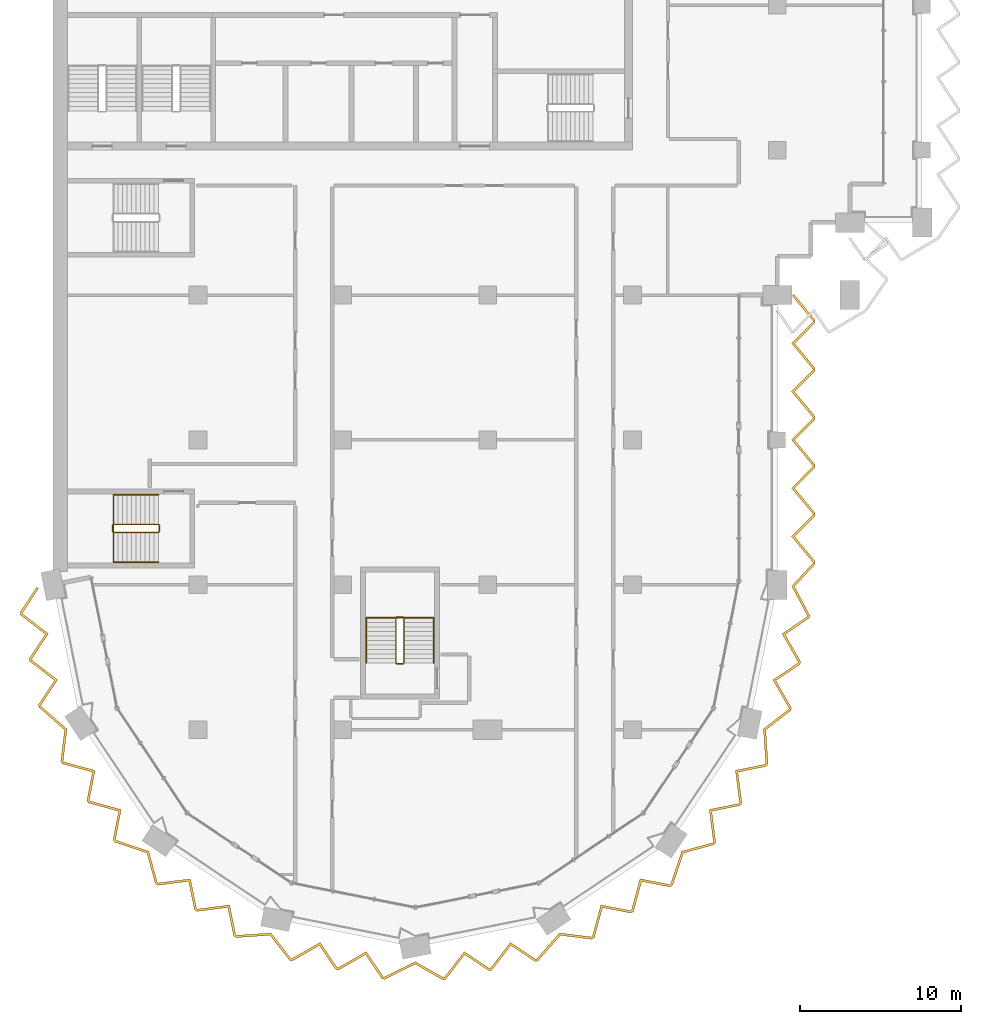
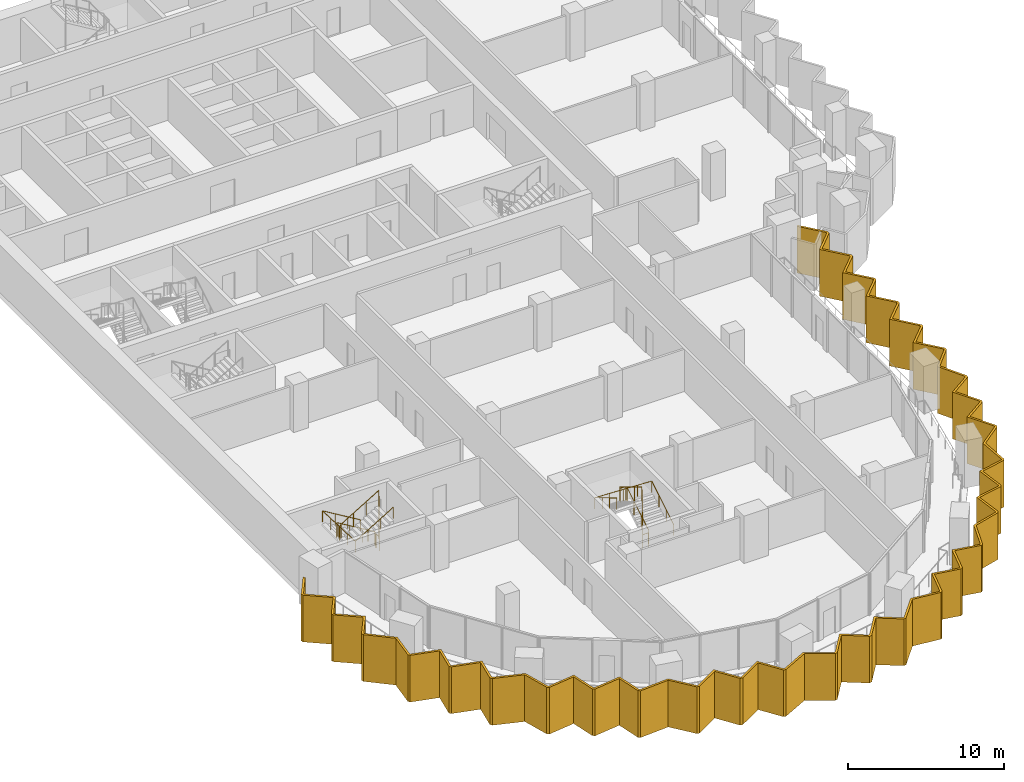
# One storey, part 14 of 18: 4 railings, 1 shading device.
"""IFC4 building model written with IfcOpenShell, lengths in metres."""

from ifc_helpers import new_model, si_unit, direction, frame, origin, origin_2d, place, context, subcontext, project, spatial, polyline, circle, outline, extrude, material, layer, layer_set, type_object, element, save


model = new_model("IFC4")

# Units and contexts
model_context = context("Model", 3, precision=1e-05, world=origin(), true_north=direction((0.0, 1.0)))
body_context = subcontext(model_context, "Body", "Model", "MODEL_VIEW")
ifc_project = project(units=[si_unit("LENGTHUNIT", "METRE"), si_unit("AREAUNIT", "SQUARE_METRE"), si_unit("VOLUMEUNIT", "CUBIC_METRE"), si_unit("PLANEANGLEUNIT", "RADIAN"), si_unit("MASSUNIT", "GRAM", prefix="KILO")], contexts=[model_context])

# Site, building, storey
site_placement = place(None, origin())
site = spatial("IfcSite", under=ifc_project, at=site_placement, CompositionType="ELEMENT")
building_placement = place(site_placement, origin())
building = spatial("IfcBuilding", under=site, at=building_placement, Name="Hunhe Ridgeline Campus", CompositionType="ELEMENT")
storey_placement = place(building_placement, frame((0.0, 0.0, 182.800048828125)))
storey = spatial("IfcBuildingStorey", under=building, at=storey_placement, Name="L46", CompositionType="ELEMENT", Elevation=182.800048828125)

# Shading device
ifc_material_1 = material(Name="Concrete C50", Category="concrete")
ifc_layer = layer(ifc_material_1, 0.14990234375)
ifc_layer_set = layer_set([ifc_layer], Name="Sawtooth concrete fin 150 Concrete C50")
shading_device_type = type_object("IfcShadingDeviceType", Name="Sawtooth concrete fin 150 Concrete C50", PredefinedType="USERDEFINED", material=ifc_layer_set)
shading_device_placement = place(storey_placement, frame((0.0, 0.0, -0.949951171875)))
element("IfcShadingDevice", 1, at=shading_device_placement, inside=storey, type_object=shading_device_type, Name="Concrete fin screen 1", ObjectType="FIN", PredefinedType="USERDEFINED", context=body_context, shape_type="SweptSolid", body=[
    extrude(outline(polyline([(-0.893798828125, 35.768310546875), (-1.018798828125, 35.851318359375), (-2.05517578125, 34.286865234375), (-2.020263671875, 34.111328125), (-0.486328125, 32.923095703125), (-1.484375, 31.416748046875), (-1.449462890625, 31.2412109375), (0.08447265625, 30.052978515625), (-0.913330078125, 28.546630859375), (-0.879150390625, 28.37353515625), (0.71484375, 26.97900390625), (0.47119140625, 25.017822265625), (0.56884765625, 24.87158203125), (2.44091796875, 24.36083984375), (2.09521484375, 22.587158203125), (2.19482421875, 22.438232421875), (4.066650390625, 21.927490234375), (3.72119140625, 20.154052734375), (3.819091796875, 20.00732421875), (5.825439453125, 19.328857421875), (6.350830078125, 17.423828125), (6.4970703125, 17.325927734375), (8.421875, 17.570556640625), (8.781494140625, 15.799560546875), (8.93017578125, 15.7001953125), (10.855224609375, 15.944580078125), (11.214599609375, 14.173828125), (11.361328125, 14.07568359375), (13.474365234375, 14.216796875), (14.68896484375, 12.65771484375), (14.861328125, 12.623291015625), (16.546142578125, 13.5859375), (17.55615234375, 12.08740234375), (17.7314453125, 12.052490234375), (19.41650390625, 13.014892578125), (20.42626953125, 11.516357421875), (20.59912109375, 11.48193359375), (22.49755859375, 12.421142578125), (24.216064453125, 11.4453125), (24.388671875, 11.479736328125), (25.576904296875, 13.013671875), (27.083251953125, 12.015625), (27.2587890625, 12.050537109375), (28.447021484375, 13.58447265625), (29.953369140625, 12.586669921875), (30.12646484375, 12.620849609375), (31.52099609375, 14.21484375), (33.482177734375, 13.97119140625), (33.62841796875, 14.06884765625), (34.13916015625, 15.94091796875), (35.912841796875, 15.59521484375), (36.061767578125, 15.69482421875), (36.572509765625, 17.566650390625), (38.345947265625, 17.22119140625), (38.49267578125, 17.319091796875), (39.171142578125, 19.325439453125), (41.076171875, 19.850830078125), (41.174072265625, 19.9970703125), (40.929443359375, 21.921875), (42.700439453125, 22.281494140625), (42.7998046875, 22.43017578125), (42.555419921875, 24.355224609375), (44.326171875, 24.714599609375), (44.42431640625, 24.861328125), (44.283203125, 26.974365234375), (45.84228515625, 28.18896484375), (45.876708984375, 28.361328125), (44.9140625, 30.046142578125), (46.41259765625, 31.05615234375), (46.447509765625, 31.2314453125), (45.485107421875, 32.91650390625), (46.983642578125, 33.92626953125), (47.01806640625, 34.100341796875), (46.066162109375, 35.89208984375), (47.35009765625, 37.281005859375), (47.35009765625, 37.457275390625), (46.076171875, 38.995361328125), (47.35009765625, 40.279296875), (47.35009765625, 40.457275390625), (46.076171875, 41.995361328125), (47.35009765625, 43.279296875), (47.35009765625, 43.457275390625), (46.076171875, 44.995361328125), (47.35009765625, 46.279296875), (47.35009765625, 46.457275390625), (46.076171875, 47.995361328125), (47.35009765625, 49.279296875), (47.35009765625, 49.457275390625), (46.076171875, 50.995361328125), (47.35009765625, 52.279296875), (47.35009765625, 52.457275390625), (46.03271484375, 54.0478515625), (45.917236328125, 53.9521484375), (47.199951171875, 52.4033203125), (47.199951171875, 52.341064453125), (45.873779296875, 51.004638671875), (47.199951171875, 49.4033203125), (47.199951171875, 49.341064453125), (45.873779296875, 48.004638671875), (47.199951171875, 46.4033203125), (47.199951171875, 46.341064453125), (45.873779296875, 45.004638671875), (47.199951171875, 43.4033203125), (47.199951171875, 43.341064453125), (45.873779296875, 42.004638671875), (47.199951171875, 40.4033203125), (47.199951171875, 40.341064453125), (45.873779296875, 39.004638671875), (47.199951171875, 37.4033203125), (47.199951171875, 37.339599609375), (45.8837890625, 35.915771484375), (46.860595703125, 34.0771484375), (46.848388671875, 34.01611328125), (45.28564453125, 32.962890625), (46.28955078125, 31.205810546875), (46.277587890625, 31.14599609375), (44.71484375, 30.0927734375), (45.718505859375, 28.335693359375), (45.7060546875, 28.27294921875), (44.128173828125, 27.0439453125), (44.271240234375, 24.902099609375), (44.23583984375, 24.849365234375), (42.388916015625, 24.474365234375), (42.64404296875, 22.467041015625), (42.610107421875, 22.416259765625), (40.76318359375, 22.041259765625), (41.01806640625, 20.03369140625), (40.982666015625, 19.98046875), (39.054443359375, 19.448974609375), (38.366943359375, 17.41552734375), (38.314208984375, 17.380126953125), (36.46435546875, 17.740478515625), (35.931640625, 15.788330078125), (35.880859375, 15.75439453125), (34.03125, 16.11474609375), (33.49853515625, 14.16259765625), (33.4453125, 14.126953125), (31.46044921875, 14.37353515625), (30.047119140625, 12.758056640625), (29.98486328125, 12.74560546875), (28.413818359375, 13.78662109375), (27.174560546875, 12.186767578125), (27.11474609375, 12.1748046875), (25.543701171875, 13.215576171875), (24.304443359375, 11.61572265625), (24.24169921875, 11.603271484375), (22.50244140625, 12.5908203125), (20.578369140625, 11.63916015625), (20.51611328125, 11.651611328125), (19.462890625, 13.21435546875), (17.705810546875, 12.21044921875), (17.64599609375, 12.222412109375), (16.5927734375, 13.78515625), (14.835693359375, 12.781494140625), (14.77294921875, 12.7939453125), (13.5439453125, 14.371826171875), (11.402099609375, 14.228759765625), (11.349365234375, 14.26416015625), (10.974365234375, 16.111083984375), (8.967041015625, 15.85595703125), (8.916259765625, 15.889892578125), (8.541259765625, 17.73681640625), (6.53369140625, 17.48193359375), (6.48046875, 17.517333984375), (5.948974609375, 19.445556640625), (3.91552734375, 20.133056640625), (3.880126953125, 20.185791015625), (4.240478515625, 22.03564453125), (2.288330078125, 22.568359375), (2.25439453125, 22.619140625), (2.61474609375, 24.46875), (0.66259765625, 25.00146484375), (0.626953125, 25.0546875), (0.87353515625, 27.03955078125), (-0.741943359375, 28.452880859375), (-0.75439453125, 28.51513671875), (0.28662109375, 30.086181640625), (-1.313232421875, 31.325439453125), (-1.3251953125, 31.38525390625), (-0.284423828125, 32.956298828125), (-1.88427734375, 34.195556640625), (-1.89599609375, 34.25537109375), (-0.893798828125, 35.768310546875)])), origin(), (0.0, 0.0, 1.0), 3.64990234375),
])

# Railings
ifc_material_2 = material(Name="Stainless steel balustrade", Category="steel")
railing_type_1 = type_object("IfcRailingType", Name="Stair guard 1100 stainless", PredefinedType="GUARDRAIL", material=ifc_material_2)
railing_1_placement = place(storey_placement, frame((21.800048828125, 31.14990234375, 0.168212890625)))
element("IfcRailing", 2, at=railing_1_placement, inside=storey, type_object=railing_type_1, Name="L46 stair W3 guard", PredefinedType="GUARDRAIL", context=body_context, shape_type="SweptSolid", body=[
    extrude(circle(Radius=0.02392578125, at=origin_2d()), frame((0.0, 0.0, 1.076171875), z_axis=(0.0, 0.857275202839, 0.514858452973), x_axis=(-1.0, 0.0, 0.0)), (0.0, 0.0, 1.0), 3.26611328125),
    extrude(circle(Radius=0.02392578125, at=origin_2d()), frame((0.0, 2.800048828125, 2.7578125), z_axis=(-0.707106781187, 0.707106781187, 0.0), x_axis=(-0.707106781187, -0.707106781187, 0.0)), (0.0, 0.0, 1.0), 0.07080078125),
    extrude(circle(Radius=0.02392578125, at=origin_2d()), frame((-0.050048828125, 2.85009765625, 2.7578125), z_axis=(-1.0, 0.0, 0.0), x_axis=(0.0, -1.0, 0.0)), (0.0, 0.0, 1.0), 0.39990234375),
    extrude(circle(Radius=0.02392578125, at=origin_2d()), frame((-0.449951171875, 2.85009765625, 2.7578125), z_axis=(-0.274243871929, -0.274243871929, 0.92172696468), x_axis=(0.707106781187, -0.707106781187, 0.0)), (0.0, 0.0, 1.0), 0.1826171875),
    extrude(circle(Radius=0.02392578125, at=origin_2d()), frame((-0.5, 2.800048828125, 2.92578125), z_axis=(0.0, -0.857242210791, 0.514913383045), x_axis=(1.0, 0.0, 0.0)), (0.0, 0.0, 1.0), 3.266357421875),
    extrude(circle(Radius=0.02392578125, at=origin_2d()), frame((-0.5, 0.0, 4.60791015625), z_axis=(0.013524426427, -0.013458453615, -0.999817963389), x_axis=(0.705375805398, 0.708833529934, 0.0)), (0.0, 0.0, 1.0), 3.70068359375),
    extrude(circle(Radius=0.02392578125, at=origin_2d()), frame((-0.449951171875, -0.0498046875, 0.90771484375), z_axis=(1.0, 0.0, 0.0), x_axis=(0.0, 1.0, 0.0)), (0.0, 0.0, 1.0), 0.39990234375),
    extrude(circle(Radius=0.02099609375, at=origin_2d()), origin(), (0.0, 0.0, 1.0), 1.052001953125),
    extrude(circle(Radius=0.02099609375, at=origin_2d()), frame((0.0, 0.933349609375, 0.560546875)), (0.0, 0.0, 1.0), 1.052001953125),
    extrude(circle(Radius=0.02099609375, at=origin_2d()), frame((0.0, 1.86669921875, 1.12109375)), (0.0, 0.0, 1.0), 1.052001953125),
    extrude(circle(Radius=0.02099609375, at=origin_2d()), frame((0.0, 2.800048828125, 1.681640625)), (0.0, 0.0, 1.0), 1.052001953125),
    extrude(circle(Radius=0.02099609375, at=origin_2d()), frame((-0.050048828125, 2.85009765625, 1.681640625)), (0.0, 0.0, 1.0), 1.052001953125),
    extrude(circle(Radius=0.02099609375, at=origin_2d()), frame((-0.449951171875, 2.85009765625, 1.681640625)), (0.0, 0.0, 1.0), 1.052001953125),
    extrude(circle(Radius=0.02099609375, at=origin_2d()), frame((-0.5, 2.800048828125, 1.849853515625)), (0.0, 0.0, 1.0), 1.052001953125),
    extrude(circle(Radius=0.02099609375, at=origin_2d()), frame((-0.5, 1.86669921875, 2.410400390625)), (0.0, 0.0, 1.0), 1.052001953125),
    extrude(circle(Radius=0.02099609375, at=origin_2d()), frame((-0.5, 0.933349609375, 2.97119140625)), (0.0, 0.0, 1.0), 1.052001953125),
    extrude(circle(Radius=0.02099609375, at=origin_2d()), frame((-0.5, 0.0, 3.53173828125)), (0.0, 0.0, 1.0), 1.052001953125),
    extrude(circle(Radius=0.02099609375, at=origin_2d()), frame((-0.487548828125, -0.012451171875, 2.606689453125)), (0.0, 0.0, 1.0), 1.052001953125),
    extrude(circle(Radius=0.02099609375, at=origin_2d()), frame((-0.47509765625, -0.02490234375, 1.681640625)), (0.0, 0.0, 1.0), 1.052001953125),
    extrude(circle(Radius=0.02099609375, at=origin_2d()), frame((-0.46240234375, -0.037353515625, 0.7568359375)), (0.0, 0.0, 1.0), 1.052001953125),
    extrude(circle(Radius=0.02099609375, at=origin_2d()), frame((-0.449951171875, -0.0498046875, -0.168212890625)), (0.0, 0.0, 1.0), 1.052001953125),
    extrude(circle(Radius=0.02099609375, at=origin_2d()), frame((-0.050048828125, -0.0498046875, -0.168212890625)), (0.0, 0.0, 1.0), 1.052001953125),
])
railing_2_placement = place(storey_placement, frame((6.550048828125, 39.75, 0.168212890625)))
element("IfcRailing", 3, at=railing_2_placement, inside=storey, type_object=railing_type_1, Name="L46 stair W1 guard", PredefinedType="GUARDRAIL", context=body_context, shape_type="SweptSolid", body=[
    extrude(circle(Radius=0.02392578125, at=origin_2d()), frame((0.0, 0.0, 1.076171875), z_axis=(-0.857275202839, 0.0, 0.514858452973), x_axis=(0.0, -1.0, 0.0)), (0.0, 0.0, 1.0), 3.26611328125),
    extrude(circle(Radius=0.02392578125, at=origin_2d()), frame((-2.800048828125, 0.0, 2.7578125), z_axis=(-0.707106781187, -0.707106781187, 0.0), x_axis=(0.707106781187, -0.707106781187, 0.0)), (0.0, 0.0, 1.0), 0.07080078125),
    extrude(circle(Radius=0.02392578125, at=origin_2d()), frame((-2.85009765625, -0.050048828125, 2.7578125), z_axis=(0.0, -1.0, 0.0), x_axis=(1.0, 0.0, 0.0)), (0.0, 0.0, 1.0), 0.39990234375),
    extrude(circle(Radius=0.02392578125, at=origin_2d()), frame((-2.85009765625, -0.449951171875, 2.7578125), z_axis=(0.274243871929, -0.274243871929, 0.92172696468), x_axis=(0.707106781187, 0.707106781187, 0.0)), (0.0, 0.0, 1.0), 0.1826171875),
    extrude(circle(Radius=0.02392578125, at=origin_2d()), frame((-2.800048828125, -0.5, 2.92578125), z_axis=(0.857242210791, 0.0, 0.514913383045), x_axis=(0.0, 1.0, 0.0)), (0.0, 0.0, 1.0), 3.266357421875),
    extrude(circle(Radius=0.02392578125, at=origin_2d()), frame((0.0, -0.5, 4.60791015625), z_axis=(0.013524414389, 0.013524414389, -0.999817073484), x_axis=(-0.707106781187, 0.707106781187, 0.0)), (0.0, 0.0, 1.0), 3.70068359375),
    extrude(circle(Radius=0.02392578125, at=origin_2d()), frame((0.050048828125, -0.449951171875, 0.90771484375), z_axis=(0.0, 1.0, 0.0), x_axis=(-1.0, 0.0, 0.0)), (0.0, 0.0, 1.0), 0.39990234375),
    extrude(circle(Radius=0.02099609375, at=origin_2d()), origin(), (0.0, 0.0, 1.0), 1.052001953125),
    extrude(circle(Radius=0.02099609375, at=origin_2d()), frame((-0.933349609375, 0.0, 0.560546875)), (0.0, 0.0, 1.0), 1.052001953125),
    extrude(circle(Radius=0.02099609375, at=origin_2d()), frame((-1.86669921875, 0.0, 1.12109375)), (0.0, 0.0, 1.0), 1.052001953125),
    extrude(circle(Radius=0.02099609375, at=origin_2d()), frame((-2.800048828125, 0.0, 1.681640625)), (0.0, 0.0, 1.0), 1.052001953125),
    extrude(circle(Radius=0.02099609375, at=origin_2d()), frame((-2.85009765625, -0.050048828125, 1.681640625)), (0.0, 0.0, 1.0), 1.052001953125),
    extrude(circle(Radius=0.02099609375, at=origin_2d()), frame((-2.85009765625, -0.449951171875, 1.681640625)), (0.0, 0.0, 1.0), 1.052001953125),
    extrude(circle(Radius=0.02099609375, at=origin_2d()), frame((-2.800048828125, -0.5, 1.849853515625)), (0.0, 0.0, 1.0), 1.052001953125),
    extrude(circle(Radius=0.02099609375, at=origin_2d()), frame((-1.86669921875, -0.5, 2.410400390625)), (0.0, 0.0, 1.0), 1.052001953125),
    extrude(circle(Radius=0.02099609375, at=origin_2d()), frame((-0.933349609375, -0.5, 2.97119140625)), (0.0, 0.0, 1.0), 1.052001953125),
    extrude(circle(Radius=0.02099609375, at=origin_2d()), frame((0.0, -0.5, 3.53173828125)), (0.0, 0.0, 1.0), 1.052001953125),
    extrude(circle(Radius=0.02099609375, at=origin_2d()), frame((0.012451171875, -0.487548828125, 2.606689453125)), (0.0, 0.0, 1.0), 1.052001953125),
    extrude(circle(Radius=0.02099609375, at=origin_2d()), frame((0.02490234375, -0.47509765625, 1.681640625)), (0.0, 0.0, 1.0), 1.052001953125),
    extrude(circle(Radius=0.02099609375, at=origin_2d()), frame((0.03759765625, -0.46240234375, 0.7568359375)), (0.0, 0.0, 1.0), 1.052001953125),
    extrude(circle(Radius=0.02099609375, at=origin_2d()), frame((0.050048828125, -0.449951171875, -0.168212890625)), (0.0, 0.0, 1.0), 1.052001953125),
    extrude(circle(Radius=0.02099609375, at=origin_2d()), frame((0.050048828125, -0.050048828125, -0.168212890625)), (0.0, 0.0, 1.0), 1.052001953125),
])
ifc_material_3 = material(Name="Stainless steel handrail", Category="steel")
railing_type_2 = type_object("IfcRailingType", Name="Stair handrail 900 stainless", PredefinedType="HANDRAIL", material=ifc_material_3)
railing_3_placement = place(storey_placement, frame((23.64990234375, 31.14990234375, 0.168212890625)))
element("IfcRailing", 4, at=railing_3_placement, inside=storey, type_object=railing_type_2, Name="L46 stair W3 handrail", PredefinedType="HANDRAIL", context=body_context, shape_type="SweptSolid", body=[
    extrude(circle(Radius=0.02392578125, at=origin_2d()), frame((0.0, 0.0, 0.8759765625), z_axis=(0.0, 0.857275202839, 0.514858452973), x_axis=(-1.0, 0.0, 0.0)), (0.0, 0.0, 1.0), 3.26611328125),
    extrude(circle(Radius=0.02392578125, at=origin_2d()), frame((0.0, 2.800048828125, 2.5576171875), z_axis=(-0.999198916169, 0.0, 0.040019069537), x_axis=(0.0, -1.0, 0.0)), (0.0, 0.0, 1.0), 4.203369140625),
    extrude(circle(Radius=0.02392578125, at=origin_2d()), frame((-4.199951171875, 2.800048828125, 2.7255859375), z_axis=(0.0, -0.857242210791, 0.514913383045), x_axis=(1.0, 0.0, 0.0)), (0.0, 0.0, 1.0), 3.266357421875),
    extrude(circle(Radius=0.02099609375, at=origin_2d()), origin(), (0.0, 0.0, 1.0), 0.851806640625),
    extrude(circle(Radius=0.02099609375, at=origin_2d()), frame((0.0, 0.933349609375, 0.560546875)), (0.0, 0.0, 1.0), 0.851806640625),
    extrude(circle(Radius=0.02099609375, at=origin_2d()), frame((0.0, 1.86669921875, 1.12109375)), (0.0, 0.0, 1.0), 0.851806640625),
    extrude(circle(Radius=0.02099609375, at=origin_2d()), frame((0.0, 2.800048828125, 1.681640625)), (0.0, 0.0, 1.0), 0.851806640625),
    extrude(circle(Radius=0.02099609375, at=origin_2d()), frame((-1.050048828125, 2.800048828125, 1.7236328125)), (0.0, 0.0, 1.0), 0.851806640625),
    extrude(circle(Radius=0.02099609375, at=origin_2d()), frame((-2.10009765625, 2.800048828125, 1.765625)), (0.0, 0.0, 1.0), 0.851806640625),
    extrude(circle(Radius=0.02099609375, at=origin_2d()), frame((-3.14990234375, 2.800048828125, 1.807861328125)), (0.0, 0.0, 1.0), 0.851806640625),
    extrude(circle(Radius=0.02099609375, at=origin_2d()), frame((-4.199951171875, 2.800048828125, 1.849853515625)), (0.0, 0.0, 1.0), 0.851806640625),
    extrude(circle(Radius=0.02099609375, at=origin_2d()), frame((-4.199951171875, 1.86669921875, 2.410400390625)), (0.0, 0.0, 1.0), 0.851806640625),
    extrude(circle(Radius=0.02099609375, at=origin_2d()), frame((-4.199951171875, 0.933349609375, 2.97119140625)), (0.0, 0.0, 1.0), 0.851806640625),
    extrude(circle(Radius=0.02099609375, at=origin_2d()), frame((-4.199951171875, 0.0, 3.53173828125)), (0.0, 0.0, 1.0), 0.851806640625),
])
railing_4_placement = place(storey_placement, frame((6.550048828125, 41.60009765625, 0.168212890625)))
element("IfcRailing", 5, at=railing_4_placement, inside=storey, type_object=railing_type_2, Name="L46 stair W1 handrail", PredefinedType="HANDRAIL", context=body_context, shape_type="SweptSolid", body=[
    extrude(circle(Radius=0.02392578125, at=origin_2d()), frame((0.0, 0.0, 0.8759765625), z_axis=(-0.857275202839, 0.0, 0.514858452973), x_axis=(0.0, -1.0, 0.0)), (0.0, 0.0, 1.0), 3.26611328125),
    extrude(circle(Radius=0.02392578125, at=origin_2d()), frame((-2.800048828125, 0.0, 2.5576171875), z_axis=(0.0, -0.999199009182, 0.040016747113), x_axis=(1.0, 0.0, 0.0)), (0.0, 0.0, 1.0), 4.20361328125),
    extrude(circle(Radius=0.02392578125, at=origin_2d()), frame((-2.800048828125, -4.2001953125, 2.7255859375), z_axis=(0.857242210791, 0.0, 0.514913383045), x_axis=(0.0, 1.0, 0.0)), (0.0, 0.0, 1.0), 3.266357421875),
    extrude(circle(Radius=0.02099609375, at=origin_2d()), origin(), (0.0, 0.0, 1.0), 0.851806640625),
    extrude(circle(Radius=0.02099609375, at=origin_2d()), frame((-0.933349609375, 0.0, 0.560546875)), (0.0, 0.0, 1.0), 0.851806640625),
    extrude(circle(Radius=0.02099609375, at=origin_2d()), frame((-1.86669921875, 0.0, 1.12109375)), (0.0, 0.0, 1.0), 0.851806640625),
    extrude(circle(Radius=0.02099609375, at=origin_2d()), frame((-2.800048828125, 0.0, 1.681640625)), (0.0, 0.0, 1.0), 0.851806640625),
    extrude(circle(Radius=0.02099609375, at=origin_2d()), frame((-2.800048828125, -1.050048828125, 1.7236328125)), (0.0, 0.0, 1.0), 0.851806640625),
    extrude(circle(Radius=0.02099609375, at=origin_2d()), frame((-2.800048828125, -2.10009765625, 1.765625)), (0.0, 0.0, 1.0), 0.851806640625),
    extrude(circle(Radius=0.02099609375, at=origin_2d()), frame((-2.800048828125, -3.150146484375, 1.807861328125)), (0.0, 0.0, 1.0), 0.851806640625),
    extrude(circle(Radius=0.02099609375, at=origin_2d()), frame((-2.800048828125, -4.2001953125, 1.849853515625)), (0.0, 0.0, 1.0), 0.851806640625),
    extrude(circle(Radius=0.02099609375, at=origin_2d()), frame((-1.86669921875, -4.2001953125, 2.410400390625)), (0.0, 0.0, 1.0), 0.851806640625),
    extrude(circle(Radius=0.02099609375, at=origin_2d()), frame((-0.933349609375, -4.2001953125, 2.97119140625)), (0.0, 0.0, 1.0), 0.851806640625),
    extrude(circle(Radius=0.02099609375, at=origin_2d()), frame((0.0, -4.2001953125, 3.53173828125)), (0.0, 0.0, 1.0), 0.851806640625),
])

save(model, "model.ifc")
